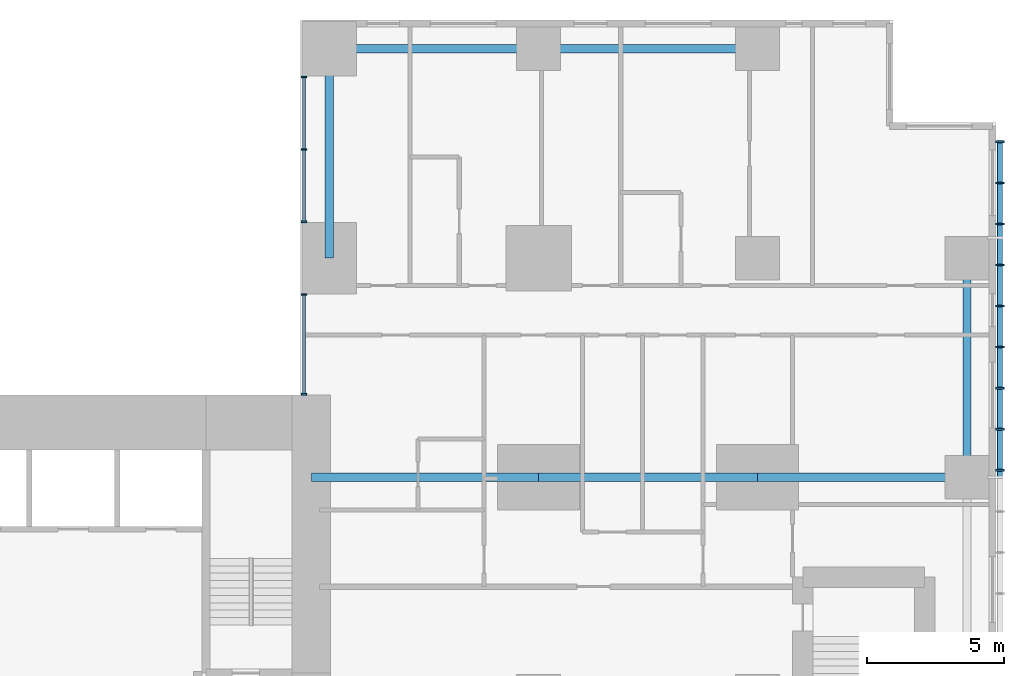
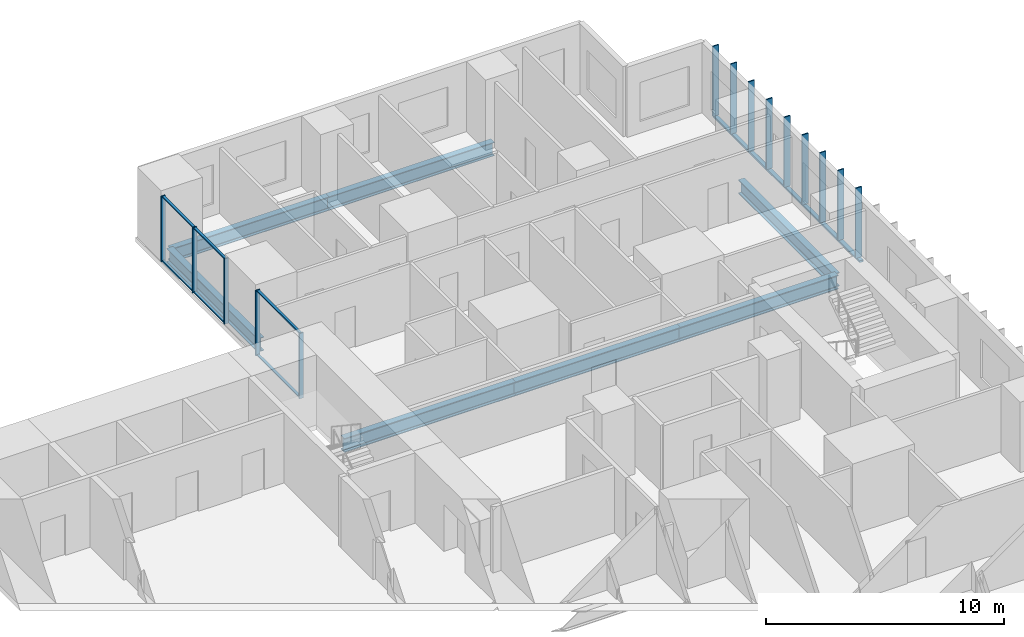
# One storey, part 3 of 12: 21 members, 7 beams, 2 elements without a shape of their own.
"""IFC4 building model written with IfcOpenShell, lengths in metres."""

from ifc_helpers import new_model, si_unit, direction, frame, origin, origin_2d, place, context, subcontext, project, spatial, rectangle, hollow_rectangle, i_section, extrude, material, layer, layer_set, material_profile, profile_set, type_object, element, aggregate, save


model = new_model("IFC4")

# Units and contexts
model_context = context("Model", 3, precision=1e-05, world=origin(), true_north=direction((0.0, 1.0)))
body_context = subcontext(model_context, "Body", "Model", "MODEL_VIEW")
ifc_project = project(units=[si_unit("LENGTHUNIT", "METRE"), si_unit("AREAUNIT", "SQUARE_METRE"), si_unit("VOLUMEUNIT", "CUBIC_METRE"), si_unit("PLANEANGLEUNIT", "RADIAN"), si_unit("MASSUNIT", "GRAM", prefix="KILO")], contexts=[model_context])

# Site, building, storey
site_placement = place(None, origin())
site = spatial("IfcSite", under=ifc_project, at=site_placement, CompositionType="ELEMENT")
building_placement = place(site_placement, origin())
building = spatial("IfcBuilding", under=site, at=building_placement, Name="Cleftline Residences", CompositionType="ELEMENT")
storey_placement = place(building_placement, frame((0.0, 0.0, 244.800048828125)))
storey = spatial("IfcBuildingStorey", under=building, at=storey_placement, Name="L64", CompositionType="ELEMENT", Elevation=244.800048828125)

# Member
ifc_material_1 = material(Name="Steel S355, hot-dip galvanised", Category="steel")
ifc_material_profile_1 = material_profile(ifc_material_1, hollow_rectangle(XDim=0.10009765625, YDim=0.199951171875, WallThickness=0.008056640625, InnerFilletRadius=0.008056640625, OuterFilletRadius=0.011962890625, at=origin_2d()))
ifc_profile_set_1 = profile_set([ifc_material_profile_1], Name="Steel S355, hot-dip galvanised")
member_type_1 = type_object("IfcMemberType", Name="BAGUETTE CARRIER RHS 200X100X8", PredefinedType="USERDEFINED", material=ifc_profile_set_1)
member_1_placement = place(storey_placement, frame((66.85009765625, 32.0, -0.050048828125), z_axis=(0.0, 1.0, 0.0), x_axis=(0.0, 0.0, 1.0)))
element("IfcMember", 1, at=member_1_placement, inside=storey, type_object=member_type_1, Name="Baguette carrier", ObjectType="BAGUETTE CARRIER", PredefinedType="USERDEFINED", context=body_context, shape_type="SweptSolid", body=[
    extrude(hollow_rectangle(XDim=0.10009765625, YDim=0.199951171875, WallThickness=0.008056640625, InnerFilletRadius=0.008056640625, OuterFilletRadius=0.011962890625, at=origin_2d()), origin(), (0.0, 0.0, 1.0), 12.300048828125),
])

# Beams
ifc_material_2 = material(Name="Steel S355", Category="steel")
ifc_material_profile_2 = material_profile(ifc_material_2, i_section(OverallWidth=0.300048828125, OverallDepth=0.699951171875, WebThickness=0.01708984375, FlangeThickness=0.031982421875, FilletRadius=0.027099609375, at=origin_2d()))
ifc_profile_set_2 = profile_set([ifc_material_profile_2], Name="Steel S355")
beam_type_1 = type_object("IfcBeamType", Name="BEAM HEB 700", PredefinedType="BEAM", material=ifc_profile_set_2)
for number, where, z_axis, x_axis, name in (
    (2, (65.64990234375, 32.0, -0.60009765625), (0.0, 1.0, 0.0), (-1.0, 0.0, 0.0), "Edge beam"),
    (3, (58.0, 47.64990234375, -0.60009765625), (-1.0, 0.0, 0.0), (0.0, -1.0, 0.0), "Edge beam"),
):
    element("IfcBeam", number, at=place(storey_placement, frame(where, z_axis=z_axis, x_axis=x_axis)), inside=storey, type_object=beam_type_1, Name=name, PredefinedType="BEAM", context=body_context, shape_type="SweptSolid", body=[
        extrude(i_section(OverallWidth=0.300048828125, OverallDepth=0.699951171875, WebThickness=0.01708984375, FlangeThickness=0.031982421875, FilletRadius=0.027099609375, at=origin_2d()), origin(), (0.0, 0.0, 1.0), 8.0),
    ])
for number, where, z_axis, x_axis, name in (
    (4, (50.0, 47.64990234375, -0.60009765625), (-1.0, 0.0, 0.0), (0.0, -1.0, 0.0), "Edge beam"),
    (5, (42.35009765625, 47.64990234375, -0.60009765625), (0.0, -1.0, 0.0), (1.0, 0.0, 0.0), "Edge beam"),
):
    element("IfcBeam", number, at=place(storey_placement, frame(where, z_axis=z_axis, x_axis=x_axis)), inside=storey, type_object=beam_type_1, Name=name, PredefinedType="BEAM", context=body_context, shape_type="SweptSolid", body=[
        extrude(i_section(OverallWidth=0.300048828125, OverallDepth=0.699951171875, WebThickness=0.01708984375, FlangeThickness=0.031982421875, FilletRadius=0.027099609375, at=origin_2d()), origin(), (0.0, 0.0, 1.0), 7.64990234375),
    ])
ifc_material_3 = material(Name="Steel S355", Category="steel")
ifc_material_profile_3 = material_profile(ifc_material_3, i_section(OverallWidth=0.303955078125, OverallDepth=0.716064453125, WebThickness=0.02099609375, FlangeThickness=0.0400390625, FilletRadius=0.027099609375, at=origin_2d()))
ifc_profile_set_3 = profile_set([ifc_material_profile_3], Name="Steel S355")
beam_type_2 = type_object("IfcBeamType", Name="BEAM HEM 700", PredefinedType="BEAM", material=ifc_profile_set_3)
beam_1_placement = place(storey_placement, frame((65.64990234375, 32.0, -0.608154296875), z_axis=(-1.0, 0.0, 0.0), x_axis=(0.0, -1.0, 0.0)))
element("IfcBeam", 6, at=beam_1_placement, inside=storey, type_object=beam_type_2, Name="Band beam", PredefinedType="BEAM", context=body_context, shape_type="SweptSolid", body=[
    extrude(i_section(OverallWidth=0.303955078125, OverallDepth=0.716064453125, WebThickness=0.02099609375, FlangeThickness=0.0400390625, FilletRadius=0.027099609375, at=origin_2d()), origin(), (0.0, 0.0, 1.0), 7.64990234375),
])
beam_2_placement = place(storey_placement, frame((58.0, 32.0, -0.608154296875), z_axis=(-1.0, 0.0, 0.0), x_axis=(0.0, -1.0, 0.0)))
element("IfcBeam", 7, at=beam_2_placement, inside=storey, type_object=beam_type_2, Name="Band beam", PredefinedType="BEAM", context=body_context, shape_type="SweptSolid", body=[
    extrude(i_section(OverallWidth=0.303955078125, OverallDepth=0.716064453125, WebThickness=0.02099609375, FlangeThickness=0.0400390625, FilletRadius=0.027099609375, at=origin_2d()), origin(), (0.0, 0.0, 1.0), 8.0),
])
beam_3_placement = place(storey_placement, frame((50.0, 32.0, -0.608154296875), z_axis=(-1.0, 0.0, 0.0), x_axis=(0.0, -1.0, 0.0)))
element("IfcBeam", 8, at=beam_3_placement, inside=storey, type_object=beam_type_2, Name="Band beam", PredefinedType="BEAM", context=body_context, shape_type="SweptSolid", body=[
    extrude(i_section(OverallWidth=0.303955078125, OverallDepth=0.716064453125, WebThickness=0.02099609375, FlangeThickness=0.0400390625, FilletRadius=0.027099609375, at=origin_2d()), origin(), (0.0, 0.0, 1.0), 8.300048828125),
])

# Curtain wall, members
ifc_material_4 = material(Name="Aluminium framed curtain wall", Category="aluminium")
ifc_layer = layer(ifc_material_4, 0.199951171875)
ifc_layer_set = layer_set([ifc_layer], Name="CW1 CLEFT GLAZING")
curtain_wall_type = type_object("IfcCurtainWallType", Name="CW1 CLEFT GLAZING", PredefinedType="NOTDEFINED", material=ifc_layer_set)
curtain_wall_1_placement = place(storey_placement, origin())
curtain_wall_1 = element("IfcCurtainWall", 9, at=curtain_wall_1_placement, inside=storey, type_object=curtain_wall_type, Name="Curtain wall CW1", PredefinedType="NOTDEFINED")
ifc_material_5 = material(Name="Aluminium mullion", Category="aluminium")
ifc_material_profile_4 = material_profile(ifc_material_5, rectangle(XDim=0.199951171875, YDim=0.06005859375, at=origin_2d()))
ifc_profile_set_4 = profile_set([ifc_material_profile_4], Name="Aluminium mullion")
member_type_2 = type_object("IfcMemberType", Name="CW1 MULLION", PredefinedType="MULLION", material=ifc_profile_set_4)
member_2_placement = place(storey_placement, frame((41.425048828125, 46.6201171875, 0.0), z_axis=(0.0, 0.0, 1.0), x_axis=(1.0, 0.0, 0.0)))
member_2 = element("IfcMember", 10, at=member_2_placement, type_object=member_type_2, Name="CW1 mullion 1", PredefinedType="MULLION", context=body_context, shape_type="SweptSolid", body=[
    extrude(rectangle(XDim=0.199951171875, YDim=0.06005859375, at=origin_2d()), origin(), (0.0, 0.0, 1.0), 3.349853515625),
])
member_3_placement = place(storey_placement, frame((41.425048828125, 43.97509765625, 0.0), z_axis=(0.0, 0.0, 1.0), x_axis=(1.0, 0.0, 0.0)))
member_3 = element("IfcMember", 11, at=member_3_placement, type_object=member_type_2, Name="CW1 mullion 2", PredefinedType="MULLION", context=body_context, shape_type="SweptSolid", body=[
    extrude(rectangle(XDim=0.199951171875, YDim=0.06005859375, at=origin_2d()), origin(), (0.0, 0.0, 1.0), 3.349853515625),
])
member_4_placement = place(storey_placement, frame((41.425048828125, 41.330078125, 0.0), z_axis=(0.0, 0.0, 1.0), x_axis=(1.0, 0.0, 0.0)))
member_4 = element("IfcMember", 12, at=member_4_placement, type_object=member_type_2, Name="CW1 mullion 3", PredefinedType="MULLION", context=body_context, shape_type="SweptSolid", body=[
    extrude(rectangle(XDim=0.199951171875, YDim=0.06005859375, at=origin_2d()), origin(), (0.0, 0.0, 1.0), 3.349853515625),
])

curtain_wall_2_placement = place(storey_placement, origin())
curtain_wall_2 = element("IfcCurtainWall", 13, at=curtain_wall_2_placement, inside=storey, type_object=curtain_wall_type, Name="Curtain wall CW1", PredefinedType="NOTDEFINED")
member_5_placement = place(storey_placement, frame((41.425048828125, 38.669921875, 0.0), z_axis=(0.0, 0.0, 1.0), x_axis=(1.0, 0.0, 0.0)))
member_5 = element("IfcMember", 14, at=member_5_placement, type_object=member_type_2, Name="CW1 mullion 1", PredefinedType="MULLION", context=body_context, shape_type="SweptSolid", body=[
    extrude(rectangle(XDim=0.199951171875, YDim=0.06005859375, at=origin_2d()), origin(), (0.0, 0.0, 1.0), 3.349853515625),
])
member_6_placement = place(storey_placement, frame((41.425048828125, 35.030029296875, 0.0), z_axis=(0.0, 0.0, 1.0), x_axis=(1.0, 0.0, 0.0)))
member_6 = element("IfcMember", 15, at=member_6_placement, type_object=member_type_2, Name="CW1 mullion 2", PredefinedType="MULLION", context=body_context, shape_type="SweptSolid", body=[
    extrude(rectangle(XDim=0.199951171875, YDim=0.06005859375, at=origin_2d()), origin(), (0.0, 0.0, 1.0), 3.349853515625),
])

# Member
ifc_material_6 = material(Name="Aluminium transom", Category="aluminium")
ifc_material_profile_5 = material_profile(ifc_material_6, rectangle(XDim=0.1201171875, YDim=0.06005859375, at=origin_2d()))
ifc_profile_set_5 = profile_set([ifc_material_profile_5], Name="Aluminium transom")
member_type_3 = type_object("IfcMemberType", Name="CW1 TRANSOM", PredefinedType="USERDEFINED", material=ifc_profile_set_5)
member_7_placement = place(storey_placement, frame((41.425048828125, 46.590087890625, 0.030029296875), z_axis=(0.0, -1.0, 0.0), x_axis=(1.0, 0.0, 0.0)))
member_7 = element("IfcMember", 16, at=member_7_placement, type_object=member_type_3, Name="CW1 transom 1.1", ObjectType="TRANSOM", PredefinedType="USERDEFINED", context=body_context, shape_type="SweptSolid", body=[
    extrude(rectangle(XDim=0.1201171875, YDim=0.06005859375, at=origin_2d()), origin(), (0.0, 0.0, 1.0), 2.585205078125),
])

member_8_placement = place(storey_placement, frame((41.425048828125, 46.590087890625, 3.320068359375), z_axis=(0.0, -1.0, 0.0), x_axis=(1.0, 0.0, 0.0)))
member_8 = element("IfcMember", 17, at=member_8_placement, type_object=member_type_3, Name="CW1 transom 1.2", ObjectType="TRANSOM", PredefinedType="USERDEFINED", context=body_context, shape_type="SweptSolid", body=[
    extrude(rectangle(XDim=0.1201171875, YDim=0.06005859375, at=origin_2d()), origin(), (0.0, 0.0, 1.0), 2.585205078125),
])

member_9_placement = place(storey_placement, frame((41.425048828125, 43.945068359375, 0.030029296875), z_axis=(0.0, -1.0, 0.0), x_axis=(1.0, 0.0, 0.0)))
member_9 = element("IfcMember", 18, at=member_9_placement, type_object=member_type_3, Name="CW1 transom 2.1", ObjectType="TRANSOM", PredefinedType="USERDEFINED", context=body_context, shape_type="SweptSolid", body=[
    extrude(rectangle(XDim=0.1201171875, YDim=0.06005859375, at=origin_2d()), origin(), (0.0, 0.0, 1.0), 2.5849609375),
])

member_10_placement = place(storey_placement, frame((41.425048828125, 43.945068359375, 3.320068359375), z_axis=(0.0, -1.0, 0.0), x_axis=(1.0, 0.0, 0.0)))
member_10 = element("IfcMember", 19, at=member_10_placement, type_object=member_type_3, Name="CW1 transom 2.2", ObjectType="TRANSOM", PredefinedType="USERDEFINED", context=body_context, shape_type="SweptSolid", body=[
    extrude(rectangle(XDim=0.1201171875, YDim=0.06005859375, at=origin_2d()), origin(), (0.0, 0.0, 1.0), 2.5849609375),
])

aggregate(curtain_wall_1, [member_2, member_3, member_4, member_7, member_8, member_9, member_10])

member_11_placement = place(storey_placement, frame((41.425048828125, 38.639892578125, 0.030029296875), z_axis=(0.0, -1.0, 0.0), x_axis=(1.0, 0.0, 0.0)))
member_11 = element("IfcMember", 20, at=member_11_placement, type_object=member_type_3, Name="CW1 transom 1.1", ObjectType="TRANSOM", PredefinedType="USERDEFINED", context=body_context, shape_type="SweptSolid", body=[
    extrude(rectangle(XDim=0.1201171875, YDim=0.06005859375, at=origin_2d()), origin(), (0.0, 0.0, 1.0), 3.579833984375),
])

member_12_placement = place(storey_placement, frame((41.425048828125, 38.639892578125, 3.320068359375), z_axis=(0.0, -1.0, 0.0), x_axis=(1.0, 0.0, 0.0)))
member_12 = element("IfcMember", 21, at=member_12_placement, type_object=member_type_3, Name="CW1 transom 1.2", ObjectType="TRANSOM", PredefinedType="USERDEFINED", context=body_context, shape_type="SweptSolid", body=[
    extrude(rectangle(XDim=0.1201171875, YDim=0.06005859375, at=origin_2d()), origin(), (0.0, 0.0, 1.0), 3.579833984375),
])

aggregate(curtain_wall_2, [member_5, member_6, member_11, member_12])

# Members
ifc_material_7 = material(Name="Extruded terracotta", Category="masonry")
ifc_material_profile_6 = material_profile(ifc_material_7, rectangle(XDim=0.06005859375, YDim=0.300048828125, at=origin_2d()))
ifc_profile_set_6 = profile_set([ifc_material_profile_6], Name="Extruded terracotta")
member_type_4 = type_object("IfcMemberType", Name="TERRACOTTA BAGUETTE 60X300", PredefinedType="USERDEFINED", material=ifc_profile_set_6)
for number, where, z_axis, x_axis, name in (
    (22, (66.85009765625, 32.25, 0.0), (0.0, 0.0, 1.0), (0.0, 1.0, 0.0), "Terracotta baguette"),
    (23, (66.85009765625, 33.75, 0.0), (0.0, 0.0, 1.0), (0.0, 1.0, 0.0), "Terracotta baguette"),
    (24, (66.85009765625, 35.25, 0.0), (0.0, 0.0, 1.0), (0.0, 1.0, 0.0), "Terracotta baguette"),
    (25, (66.85009765625, 36.75, 0.0), (0.0, 0.0, 1.0), (0.0, 1.0, 0.0), "Terracotta baguette"),
    (26, (66.85009765625, 38.25, 0.0), (0.0, 0.0, 1.0), (0.0, 1.0, 0.0), "Terracotta baguette"),
    (27, (66.85009765625, 39.75, 0.0), (0.0, 0.0, 1.0), (0.0, 1.0, 0.0), "Terracotta baguette"),
    (28, (66.85009765625, 41.25, 0.0), (0.0, 0.0, 1.0), (0.0, 1.0, 0.0), "Terracotta baguette"),
    (29, (66.85009765625, 42.75, 0.0), (0.0, 0.0, 1.0), (0.0, 1.0, 0.0), "Terracotta baguette"),
    (30, (66.85009765625, 44.25, 0.0), (0.0, 0.0, 1.0), (0.0, 1.0, 0.0), "Terracotta baguette"),
):
    element("IfcMember", number, at=place(storey_placement, frame(where, z_axis=z_axis, x_axis=x_axis)), inside=storey, type_object=member_type_4, Name=name, ObjectType="BAGUETTE", PredefinedType="USERDEFINED", context=body_context, shape_type="SweptSolid", body=[
        extrude(rectangle(XDim=0.06005859375, YDim=0.300048828125, at=origin_2d()), origin(), (0.0, 0.0, 1.0), 3.599853515625),
    ])

save(model, "model.ifc")
